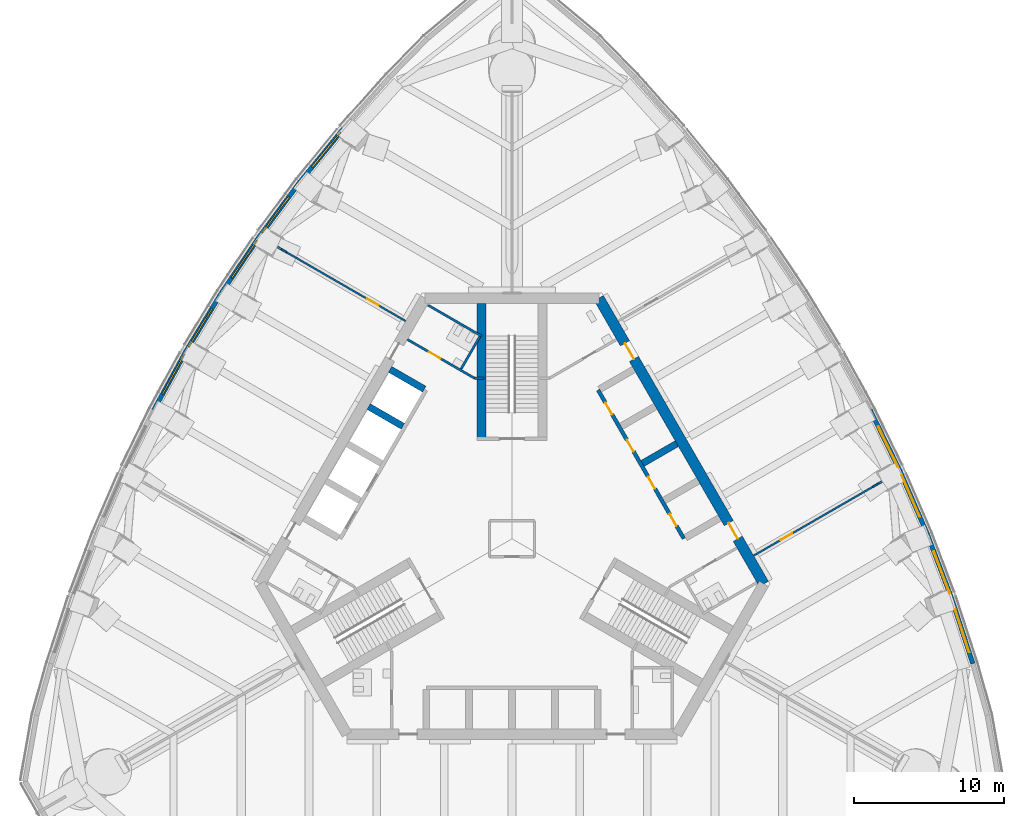
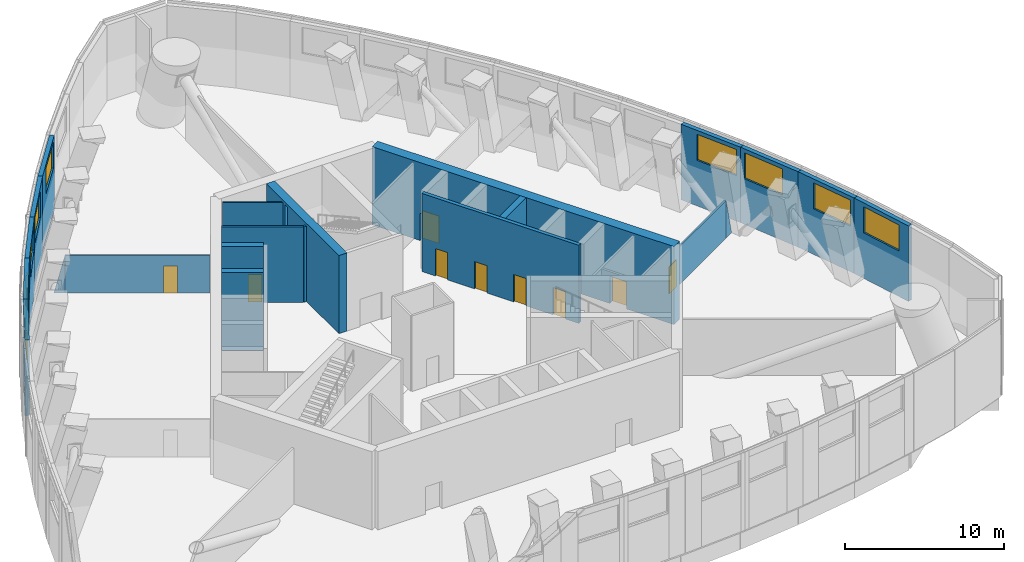
# One storey, part 8 of 22: 23 walls, 9 doors, 9 windows, 18 openings.
"""IFC4 building model written with IfcOpenShell, lengths in metres."""

from ifc_helpers import new_model, si_unit, direction, frame, frame_2d, origin, place, context, subcontext, project, spatial, polyline, rectangle, outline, extrude, material, layer, layer_set, type_object, element, fill, save


model = new_model("IFC4")

# Units and contexts
model_context = context("Model", 3, precision=1e-05, world=origin(), true_north=direction((0.0, 1.0)))
body_context = subcontext(model_context, "Body", "Model", "MODEL_VIEW")
ifc_project = project(units=[si_unit("LENGTHUNIT", "METRE"), si_unit("AREAUNIT", "SQUARE_METRE"), si_unit("VOLUMEUNIT", "CUBIC_METRE"), si_unit("PLANEANGLEUNIT", "RADIAN"), si_unit("MASSUNIT", "GRAM", prefix="KILO")], contexts=[model_context])

# Site, building, storey
site_placement = place(None, origin())
site = spatial("IfcSite", under=ifc_project, at=site_placement, CompositionType="ELEMENT")
building_placement = place(site_placement, origin())
building = spatial("IfcBuilding", under=site, at=building_placement, Name="Trefoil Bronze Tower", CompositionType="ELEMENT")
storey_placement = place(building_placement, frame((0.0, 0.0, 265.300048828125)))
storey = spatial("IfcBuildingStorey", under=building, at=storey_placement, Name="L61", CompositionType="ELEMENT", Elevation=265.300048828125)

# Wall, opening, window
ifc_material_1 = material(Name="Concrete B80", Category="concrete")
ifc_layer_1 = layer(ifc_material_1, 0.300048828125)
ifc_layer_set_1 = layer_set([ifc_layer_1], Name="Belt wall 300")
wall_type_1 = type_object("IfcWallType", Name="Belt wall 300", PredefinedType="SOLIDWALL", material=ifc_layer_set_1)
wall_1_placement = place(storey_placement, frame((30.63330078125, -8.294677734375, 0.0), z_axis=(0.0, 0.0, 1.0), x_axis=(-0.310154105003, 0.950686294815, 0.0)))
wall_1 = element("IfcWall", 1, at=wall_1_placement, inside=storey, type_object=wall_type_1, Name="Belt wall T3.17", PredefinedType="SOLIDWALL", context=body_context, shape_type="SweptSolid", body=[
    extrude(rectangle(XDim=4.599365234375, YDim=0.300048828125, at=frame_2d((2.2998046875, 0.0))), origin(), (0.0, 0.0, 1.0), 5.800048828125),
])
opening_1_placement = place(wall_1_placement, frame((0.7998046875, 0.0, 3.5)))
opening_1 = element("IfcOpeningElement", 2, at=opening_1_placement, cuts=wall_1, Name="Opening LV1", PredefinedType="OPENING", context=body_context, shape_type="SweptSolid", body=[
    extrude(rectangle(XDim=3.0, YDim=2.0, at=frame_2d((1.5, 1.0))), frame((0.0, 0.159912109375, 0.0), z_axis=(0.0, -1.0, 0.0), x_axis=(1.0, 0.0, 0.0)), (0.0, 0.0, 1.0), 0.320068359375),
])
ifc_material_2 = material(Name="Bronze-finish aluminium louvre", Category="aluminium")
window_type = type_object("IfcWindowType", Name="Plant louvre 3000", PartitioningType="SINGLE_PANEL", PredefinedType="USERDEFINED", material=ifc_material_2)
window_1_placement = place(opening_1_placement, origin())
window_1 = element("IfcWindow", 3, at=window_1_placement, inside=storey, type_object=window_type, Name="Plant louvre L61 F2.2.1", ObjectType="LOUVRE", OverallHeight=2.0, OverallWidth=3.0, PartitioningType="SINGLE_PANEL", PredefinedType="USERDEFINED", context=body_context, shape_type="SweptSolid", body=[
    extrude(rectangle(XDim=3.0, YDim=2.0, at=frame_2d((1.5, 1.0))), frame((0.0, 0.030029296875, 0.0), z_axis=(0.0, -1.0, 0.0), x_axis=(1.0, 0.0, 0.0)), (0.0, 0.0, 1.0), 0.06005859375),
])
fill(opening_1, window_1)

wall_2_placement = place(storey_placement, frame((29.206787109375, -3.922119140625, 0.0), z_axis=(0.0, 0.0, 1.0), x_axis=(-0.354202230189, 0.935168851133, 0.0)))
wall_2 = element("IfcWall", 4, at=wall_2_placement, inside=storey, type_object=wall_type_1, Name="Belt wall T3.18", PredefinedType="SOLIDWALL", context=body_context, shape_type="SweptSolid", body=[
    extrude(rectangle(XDim=4.5595703125, YDim=0.300048828125, at=frame_2d((2.27978515625, 0.0))), origin(), (0.0, 0.0, 1.0), 5.800048828125),
])
opening_2_placement = place(wall_2_placement, frame((0.300048828125, 0.0, 3.5)))
opening_2 = element("IfcOpeningElement", 5, at=opening_2_placement, cuts=wall_2, Name="Opening LV1", PredefinedType="OPENING", context=body_context, shape_type="SweptSolid", body=[
    extrude(rectangle(XDim=3.0, YDim=2.0, at=frame_2d((1.5, 1.0))), frame((0.0, 0.159912109375, 0.0), z_axis=(0.0, -1.0, 0.0), x_axis=(1.0, 0.0, 0.0)), (0.0, 0.0, 1.0), 0.320068359375),
])
window_2_placement = place(opening_2_placement, origin())
window_2 = element("IfcWindow", 6, at=window_2_placement, inside=storey, type_object=window_type, Name="Plant louvre L61 F2.3.1", ObjectType="LOUVRE", OverallHeight=2.0, OverallWidth=3.0, PartitioningType="SINGLE_PANEL", PredefinedType="USERDEFINED", context=body_context, shape_type="SweptSolid", body=[
    extrude(rectangle(XDim=3.0, YDim=2.0, at=frame_2d((1.5, 1.0))), frame((0.0, 0.030029296875, 0.0), z_axis=(0.0, -1.0, 0.0), x_axis=(1.0, 0.0, 0.0)), (0.0, 0.0, 1.0), 0.06005859375),
])
fill(opening_2, window_2)

wall_3_placement = place(storey_placement, frame((27.591796875, 0.341796875, 0.0), z_axis=(0.0, 0.0, 1.0), x_axis=(-0.397208101111, 0.917728567939, 0.0)))
wall_3 = element("IfcWall", 7, at=wall_3_placement, inside=storey, type_object=wall_type_1, Name="Belt wall T3.19", PredefinedType="SOLIDWALL", context=body_context, shape_type="SweptSolid", body=[
    extrude(rectangle(XDim=4.530029296875, YDim=0.300048828125, at=frame_2d((2.26513671875, 0.0))), origin(), (0.0, 0.0, 1.0), 5.800048828125),
])
opening_3_placement = place(wall_3_placement, frame((1.22998046875, 0.0, 3.5)))
opening_3 = element("IfcOpeningElement", 8, at=opening_3_placement, cuts=wall_3, Name="Opening LV1", PredefinedType="OPENING", context=body_context, shape_type="SweptSolid", body=[
    extrude(rectangle(XDim=3.0, YDim=2.0, at=frame_2d((1.5, 1.0))), frame((0.0, 0.159912109375, 0.0), z_axis=(0.0, -1.0, 0.0), x_axis=(1.0, 0.0, 0.0)), (0.0, 0.0, 1.0), 0.320068359375),
])
window_3_placement = place(opening_3_placement, origin())
window_3 = element("IfcWindow", 9, at=window_3_placement, inside=storey, type_object=window_type, Name="Plant louvre L61 F2.4.1", ObjectType="LOUVRE", OverallHeight=2.0, OverallWidth=3.0, PartitioningType="SINGLE_PANEL", PredefinedType="USERDEFINED", context=body_context, shape_type="SweptSolid", body=[
    extrude(rectangle(XDim=3.0, YDim=2.0, at=frame_2d((1.5, 1.0))), frame((0.0, 0.030029296875, 0.0), z_axis=(0.0, -1.0, 0.0), x_axis=(1.0, 0.0, 0.0)), (0.0, 0.0, 1.0), 0.06005859375),
])
fill(opening_3, window_3)

wall_4_placement = place(storey_placement, frame((25.79248046875, 4.4990234375, 0.0), z_axis=(0.0, 0.0, 1.0), x_axis=(-0.439163535873, 0.898407139753, 0.0)))
wall_4 = element("IfcWall", 10, at=wall_4_placement, inside=storey, type_object=wall_type_1, Name="Belt wall T3.20", PredefinedType="SOLIDWALL", context=body_context, shape_type="SweptSolid", body=[
    extrude(rectangle(XDim=4.5107421875, YDim=0.300048828125, at=frame_2d((2.25537109375, 0.0))), origin(), (0.0, 0.0, 1.0), 5.800048828125),
])
opening_4_placement = place(wall_4_placement, frame((0.300048828125, 0.0, 3.5)))
opening_4 = element("IfcOpeningElement", 11, at=opening_4_placement, cuts=wall_4, Name="Opening LV1", PredefinedType="OPENING", context=body_context, shape_type="SweptSolid", body=[
    extrude(rectangle(XDim=3.0, YDim=2.0, at=frame_2d((1.5, 1.0))), frame((0.0, 0.159912109375, 0.0), z_axis=(0.0, -1.0, 0.0), x_axis=(1.0, 0.0, 0.0)), (0.0, 0.0, 1.0), 0.320068359375),
])
window_4_placement = place(opening_4_placement, origin())
window_4 = element("IfcWindow", 12, at=window_4_placement, inside=storey, type_object=window_type, Name="Plant louvre L61 F2.5.1", ObjectType="LOUVRE", OverallHeight=2.0, OverallWidth=3.0, PartitioningType="SINGLE_PANEL", PredefinedType="USERDEFINED", context=body_context, shape_type="SweptSolid", body=[
    extrude(rectangle(XDim=3.0, YDim=2.0, at=frame_2d((1.5, 1.0))), frame((0.0, 0.030029296875, 0.0), z_axis=(0.0, -1.0, 0.0), x_axis=(1.0, 0.0, 0.0)), (0.0, 0.0, 1.0), 0.06005859375),
])
fill(opening_4, window_4)

wall_5_placement = place(storey_placement, frame((-11.206787109375, 27.2548828125, 0.0), z_axis=(0.0, 0.0, 1.0), x_axis=(-0.632765292047, -0.774343647989, 0.0)))
wall_5 = element("IfcWall", 13, at=wall_5_placement, inside=storey, type_object=wall_type_1, Name="Belt wall T3.33", PredefinedType="SOLIDWALL", context=body_context, shape_type="SweptSolid", body=[
    extrude(rectangle(XDim=4.559326171875, YDim=0.300048828125, at=frame_2d((2.27978515625, 0.0))), origin(), (0.0, 0.0, 1.0), 5.800048828125),
])
opening_5_placement = place(wall_5_placement, frame((0.300048828125, 0.0, 3.5)))
opening_5 = element("IfcOpeningElement", 14, at=opening_5_placement, cuts=wall_5, Name="Opening LV1", PredefinedType="OPENING", context=body_context, shape_type="SweptSolid", body=[
    extrude(rectangle(XDim=3.0, YDim=2.0, at=frame_2d((1.5, 1.0))), frame((0.0, 0.159912109375, 0.0), z_axis=(0.0, -1.0, 0.0), x_axis=(1.0, 0.0, 0.0)), (0.0, 0.0, 1.0), 0.320068359375),
])
window_5_placement = place(opening_5_placement, origin())
window_5 = element("IfcWindow", 15, at=window_5_placement, inside=storey, type_object=window_type, Name="Plant louvre L61 F3.3.1", ObjectType="LOUVRE", OverallHeight=2.0, OverallWidth=3.0, PartitioningType="SINGLE_PANEL", PredefinedType="USERDEFINED", context=body_context, shape_type="SweptSolid", body=[
    extrude(rectangle(XDim=3.0, YDim=2.0, at=frame_2d((1.5, 1.0))), frame((0.0, 0.030029296875, 0.0), z_axis=(0.0, -1.0, 0.0), x_axis=(1.0, 0.0, 0.0)), (0.0, 0.0, 1.0), 0.06005859375),
])
fill(opening_5, window_5)

wall_6_placement = place(storey_placement, frame((-14.091796875, 23.724365234375, 0.0), z_axis=(0.0, 0.0, 1.0), x_axis=(-0.596173167565, -0.802855873912, 0.0)))
wall_6 = element("IfcWall", 16, at=wall_6_placement, inside=storey, type_object=wall_type_1, Name="Belt wall T3.34", PredefinedType="SOLIDWALL", context=body_context, shape_type="SweptSolid", body=[
    extrude(rectangle(XDim=4.530029296875, YDim=0.300048828125, at=frame_2d((2.26513671875, 0.0))), origin(), (0.0, 0.0, 1.0), 5.800048828125),
])
opening_6_placement = place(wall_6_placement, frame((1.22998046875, 0.0, 3.5)))
opening_6 = element("IfcOpeningElement", 17, at=opening_6_placement, cuts=wall_6, Name="Opening LV1", PredefinedType="OPENING", context=body_context, shape_type="SweptSolid", body=[
    extrude(rectangle(XDim=3.0, YDim=2.0, at=frame_2d((1.5, 1.0))), frame((0.0, 0.159912109375, 0.0), z_axis=(0.0, -1.0, 0.0), x_axis=(1.0, 0.0, 0.0)), (0.0, 0.0, 1.0), 0.320068359375),
])
window_6_placement = place(opening_6_placement, origin())
window_6 = element("IfcWindow", 18, at=window_6_placement, inside=storey, type_object=window_type, Name="Plant louvre L61 F3.4.1", ObjectType="LOUVRE", OverallHeight=2.0, OverallWidth=3.0, PartitioningType="SINGLE_PANEL", PredefinedType="USERDEFINED", context=body_context, shape_type="SweptSolid", body=[
    extrude(rectangle(XDim=3.0, YDim=2.0, at=frame_2d((1.5, 1.0))), frame((0.0, 0.030029296875, 0.0), z_axis=(0.0, -1.0, 0.0), x_axis=(1.0, 0.0, 0.0)), (0.0, 0.0, 1.0), 0.06005859375),
])
fill(opening_6, window_6)

wall_7_placement = place(storey_placement, frame((-16.79248046875, 20.08740234375, 0.0), z_axis=(0.0, 0.0, 1.0), x_axis=(-0.558466624917, -0.829526991034, 0.0)))
wall_7 = element("IfcWall", 19, at=wall_7_placement, inside=storey, type_object=wall_type_1, Name="Belt wall T3.35", PredefinedType="SOLIDWALL", context=body_context, shape_type="SweptSolid", body=[
    extrude(rectangle(XDim=4.5107421875, YDim=0.300048828125, at=frame_2d((2.25537109375, 0.0))), origin(), (0.0, 0.0, 1.0), 5.800048828125),
])
opening_7_placement = place(wall_7_placement, frame((0.300048828125, 0.0, 3.5)))
opening_7 = element("IfcOpeningElement", 20, at=opening_7_placement, cuts=wall_7, Name="Opening LV1", PredefinedType="OPENING", context=body_context, shape_type="SweptSolid", body=[
    extrude(rectangle(XDim=3.0, YDim=2.0, at=frame_2d((1.5, 1.0))), frame((0.0, 0.159912109375, 0.0), z_axis=(0.0, -1.0, 0.0), x_axis=(1.0, 0.0, 0.0)), (0.0, 0.0, 1.0), 0.320068359375),
])
window_7_placement = place(opening_7_placement, origin())
window_7 = element("IfcWindow", 21, at=window_7_placement, inside=storey, type_object=window_type, Name="Plant louvre L61 F3.5.1", ObjectType="LOUVRE", OverallHeight=2.0, OverallWidth=3.0, PartitioningType="SINGLE_PANEL", PredefinedType="USERDEFINED", context=body_context, shape_type="SweptSolid", body=[
    extrude(rectangle(XDim=3.0, YDim=2.0, at=frame_2d((1.5, 1.0))), frame((0.0, 0.030029296875, 0.0), z_axis=(0.0, -1.0, 0.0), x_axis=(1.0, 0.0, 0.0)), (0.0, 0.0, 1.0), 0.06005859375),
])
fill(opening_7, window_7)

wall_8_placement = place(storey_placement, frame((-19.3115234375, 16.345703125, 0.0), z_axis=(0.0, 0.0, 1.0), x_axis=(-0.519766265397, -0.854308509472, 0.0)))
wall_8 = element("IfcWall", 22, at=wall_8_placement, inside=storey, type_object=wall_type_1, Name="Belt wall T3.36", PredefinedType="SOLIDWALL", context=body_context, shape_type="SweptSolid", body=[
    extrude(rectangle(XDim=4.501220703125, YDim=0.300048828125, at=frame_2d((2.25048828125, 0.0))), origin(), (0.0, 0.0, 1.0), 5.800048828125),
])
opening_8_placement = place(wall_8_placement, frame((1.201171875, 0.0, 3.5)))
opening_8 = element("IfcOpeningElement", 23, at=opening_8_placement, cuts=wall_8, Name="Opening LV1", PredefinedType="OPENING", context=body_context, shape_type="SweptSolid", body=[
    extrude(rectangle(XDim=3.0, YDim=2.0, at=frame_2d((1.5, 1.0))), frame((0.0, 0.159912109375, 0.0), z_axis=(0.0, -1.0, 0.0), x_axis=(1.0, 0.0, 0.0)), (0.0, 0.0, 1.0), 0.320068359375),
])
window_8_placement = place(opening_8_placement, origin())
window_8 = element("IfcWindow", 24, at=window_8_placement, inside=storey, type_object=window_type, Name="Plant louvre L61 F3.6.1", ObjectType="LOUVRE", OverallHeight=2.0, OverallWidth=3.0, PartitioningType="SINGLE_PANEL", PredefinedType="USERDEFINED", context=body_context, shape_type="SweptSolid", body=[
    extrude(rectangle(XDim=3.0, YDim=2.0, at=frame_2d((1.5, 1.0))), frame((0.0, 0.030029296875, 0.0), z_axis=(0.0, -1.0, 0.0), x_axis=(1.0, 0.0, 0.0)), (0.0, 0.0, 1.0), 0.06005859375),
])
fill(opening_8, window_8)

wall_9_placement = place(storey_placement, frame((-21.651123046875, 12.500244140625, 0.0), z_axis=(0.0, 0.0, 1.0), x_axis=(-0.479972822547, -0.877283357654, 0.0)))
wall_9 = element("IfcWall", 25, at=wall_9_placement, inside=storey, type_object=wall_type_1, Name="Belt wall T3.37", PredefinedType="SOLIDWALL", context=body_context, shape_type="SweptSolid", body=[
    extrude(rectangle(XDim=4.5009765625, YDim=0.300048828125, at=frame_2d((2.25048828125, 0.0))), origin(), (0.0, 0.0, 1.0), 5.800048828125),
])
opening_9_placement = place(wall_9_placement, frame((0.300048828125, 0.0, 3.5)))
opening_9 = element("IfcOpeningElement", 26, at=opening_9_placement, cuts=wall_9, Name="Opening LV1", PredefinedType="OPENING", context=body_context, shape_type="SweptSolid", body=[
    extrude(rectangle(XDim=3.0, YDim=2.0, at=frame_2d((1.5, 1.0))), frame((0.0, 0.159912109375, 0.0), z_axis=(0.0, -1.0, 0.0), x_axis=(1.0, 0.0, 0.0)), (0.0, 0.0, 1.0), 0.320068359375),
])
window_9_placement = place(opening_9_placement, origin())
window_9 = element("IfcWindow", 27, at=window_9_placement, inside=storey, type_object=window_type, Name="Plant louvre L61 F3.7.1", ObjectType="LOUVRE", OverallHeight=2.0, OverallWidth=3.0, PartitioningType="SINGLE_PANEL", PredefinedType="USERDEFINED", context=body_context, shape_type="SweptSolid", body=[
    extrude(rectangle(XDim=3.0, YDim=2.0, at=frame_2d((1.5, 1.0))), frame((0.0, 0.030029296875, 0.0), z_axis=(0.0, -1.0, 0.0), x_axis=(1.0, 0.0, 0.0)), (0.0, 0.0, 1.0), 0.06005859375),
])
fill(opening_9, window_9)

# Wall, openings, doors
ifc_material_3 = material(Name="Concrete B80", Category="concrete")
ifc_layer_2 = layer(ifc_material_3, 0.699951171875)
ifc_layer_set_2 = layer_set([ifc_layer_2], Name="Core wall 700")
wall_type_2 = type_object("IfcWallType", Name="Core wall 700", PredefinedType="SHEAR", material=ifc_layer_set_2)
wall_10_placement = place(storey_placement, frame((16.7431640625, -3.0, 0.0), z_axis=(0.0, 0.0, 1.0), x_axis=(-0.500002442456, 0.866023993627, 0.0)))
wall_10 = element("IfcWall", 28, at=wall_10_placement, inside=storey, type_object=wall_type_2, Name="Core long wall 2 L61", PredefinedType="SHEAR", context=body_context, shape_type="SweptSolid", body=[
    extrude(rectangle(XDim=21.939453125, YDim=0.699951171875, at=frame_2d((10.9697265625, 0.0))), origin(), (0.0, 0.0, 1.0), 6.0),
])
opening_10_placement = place(wall_10_placement, frame((17.269775390625, 0.0, 0.0)))
opening_10 = element("IfcOpeningElement", 29, at=opening_10_placement, cuts=wall_10, Name="Opening D2", PredefinedType="OPENING", context=body_context, shape_type="SweptSolid", body=[
    extrude(rectangle(XDim=1.199951171875, YDim=2.10009765625, at=frame_2d((0.60009765625, 1.050048828125))), frame((0.0, 0.35986328125, 0.0), z_axis=(0.0, -1.0, 0.0), x_axis=(1.0, 0.0, 0.0)), (0.0, 0.0, 1.0), 0.719970703125),
])
opening_11_placement = place(wall_10_placement, frame((3.4697265625, 0.0, 0.0)))
opening_11 = element("IfcOpeningElement", 30, at=opening_11_placement, cuts=wall_10, Name="Opening D2", PredefinedType="OPENING", context=body_context, shape_type="SweptSolid", body=[
    extrude(rectangle(XDim=1.199951171875, YDim=2.10009765625, at=frame_2d((0.60009765625, 1.050048828125))), frame((0.0, 0.35986328125, 0.0), z_axis=(0.0, -1.0, 0.0), x_axis=(1.0, 0.0, 0.0)), (0.0, 0.0, 1.0), 0.719970703125),
])
ifc_material_4 = material(Name="Steel door", Category="steel")
door_type_1 = type_object("IfcDoorType", Name="Lobby door 1200", OperationType="SINGLE_SWING_RIGHT", PredefinedType="DOOR", material=ifc_material_4)
door_1_placement = place(opening_10_placement, origin())
door_1 = element("IfcDoor", 31, at=door_1_placement, inside=storey, type_object=door_type_1, Name="Lobby door F2+ L61", OperationType="SINGLE_SWING_RIGHT", OverallHeight=2.10009765625, OverallWidth=1.199951171875, PredefinedType="DOOR", context=body_context, shape_type="SweptSolid", body=[
    extrude(rectangle(XDim=1.199951171875, YDim=2.10009765625, at=frame_2d((0.60009765625, 1.050048828125))), frame((0.0, 0.02490234375, 0.0), z_axis=(0.0, -1.0, 0.0), x_axis=(1.0, 0.0, 0.0)), (0.0, 0.0, 1.0), 0.050048828125),
])
fill(opening_10, door_1)
door_2_placement = place(opening_11_placement, origin())
door_2 = element("IfcDoor", 32, at=door_2_placement, inside=storey, type_object=door_type_1, Name="Lobby door F2- L61", OperationType="SINGLE_SWING_LEFT", OverallHeight=2.10009765625, OverallWidth=1.199951171875, PredefinedType="DOOR", context=body_context, shape_type="SweptSolid", body=[
    extrude(rectangle(XDim=1.199951171875, YDim=2.10009765625, at=frame_2d((0.60009765625, 1.050048828125))), frame((0.0, 0.02490234375, 0.0), z_axis=(0.0, -1.0, 0.0), x_axis=(1.0, 0.0, 0.0)), (0.0, 0.0, 1.0), 0.050048828125),
])
fill(opening_11, door_2)

# Wall
ifc_material_5 = material(Name="Glazed partition", Category="glass")
ifc_layer_3 = layer(ifc_material_5, 0.1201171875)
ifc_layer_set_3 = layer_set([ifc_layer_3], Name="Glazed partition 120")
wall_type_3 = type_object("IfcWallType", Name="Glazed partition 120", PredefinedType="PARTITIONING", material=ifc_layer_set_3)
wall_11_placement = place(storey_placement, frame((23.985595703125, 3.455810546875, 0.0), z_axis=(0.0, 0.0, 1.0), x_axis=(0.866138304741, 0.499804398801, 0.0)))
element("IfcWall", 33, at=wall_11_placement, inside=storey, type_object=wall_type_3, Name="Partition F2 L61", PredefinedType="PARTITIONING", context=body_context, shape_type="SweptSolid", body=[
    extrude(outline(polyline([(0.0, 0.0), (0.687744140625, 0.0), (0.687744140625, 0.050048828125), (0.0, 2.89990234375), (0.0, 0.0)])), frame((0.0, 0.06005859375, 0.0), z_axis=(0.0, -1.0, 0.0), x_axis=(1.0, 0.0, 0.0)), (0.0, 0.0, 1.0), 0.1201171875),
])

# Wall, opening, door
wall_12_placement = place(storey_placement, frame((16.078857421875, -1.109130859375, 0.0), z_axis=(0.0, 0.0, 1.0), x_axis=(0.866026165896, 0.499998679983, 0.0)))
wall_12 = element("IfcWall", 34, at=wall_12_placement, inside=storey, type_object=wall_type_3, Name="Partition F2 L61", PredefinedType="PARTITIONING", context=body_context, shape_type="SweptSolid", body=[
    extrude(rectangle(XDim=9.1298828125, YDim=0.1201171875, at=frame_2d((4.56494140625, 0.0))), origin(), (0.0, 0.0, 1.0), 2.89990234375),
])
opening_12_placement = place(wall_12_placement, frame((2.050048828125, 0.0, 0.0)))
opening_12 = element("IfcOpeningElement", 35, at=opening_12_placement, cuts=wall_12, Name="Opening D8", PredefinedType="OPENING", context=body_context, shape_type="SweptSolid", body=[
    extrude(rectangle(XDim=0.89990234375, YDim=2.10009765625, at=frame_2d((0.449951171875, 1.050048828125))), frame((0.0, 0.070068359375, 0.0), z_axis=(0.0, -1.0, 0.0), x_axis=(1.0, 0.0, 0.0)), (0.0, 0.0, 1.0), 0.14013671875),
])
ifc_material_6 = material(Name="Timber door", Category="wood")
door_type_2 = type_object("IfcDoorType", Name="Office door 900", OperationType="SINGLE_SWING_LEFT", PredefinedType="DOOR", material=ifc_material_6)
door_3_placement = place(opening_12_placement, origin())
door_3 = element("IfcDoor", 36, at=door_3_placement, inside=storey, type_object=door_type_2, Name="Water treatment plant room door F2 L61", OperationType="SINGLE_SWING_LEFT", OverallHeight=2.10009765625, OverallWidth=0.89990234375, PredefinedType="DOOR", context=body_context, shape_type="SweptSolid", body=[
    extrude(rectangle(XDim=0.89990234375, YDim=2.10009765625, at=frame_2d((0.449951171875, 1.050048828125))), frame((0.0, 0.02490234375, 0.0), z_axis=(0.0, -1.0, 0.0), x_axis=(1.0, 0.0, 0.0)), (0.0, 0.0, 1.0), 0.050048828125),
])
fill(opening_12, door_3)

# Wall
wall_13_placement = place(storey_placement, frame((-14.985595703125, 19.044189453125, 0.0), z_axis=(0.0, 0.0, 1.0), x_axis=(-0.865984622623, 0.500070628392, 0.0)))
element("IfcWall", 37, at=wall_13_placement, inside=storey, type_object=wall_type_3, Name="Partition F3 L61", PredefinedType="PARTITIONING", context=body_context, shape_type="SweptSolid", body=[
    extrude(outline(polyline([(0.0, 0.0), (0.68798828125, 0.0), (0.687744140625, 0.050048828125), (0.0, 2.89990234375), (0.0, 0.0)])), frame((0.0, 0.06005859375, 0.0), z_axis=(0.0, -1.0, 0.0), x_axis=(1.0, 0.0, 0.0)), (0.0, 0.0, 1.0), 0.1201171875),
])

# Wall, opening, door
wall_14_placement = place(storey_placement, frame((-7.078857421875, 14.479248046875, 0.0), z_axis=(0.0, 0.0, 1.0), x_axis=(-0.866026165896, 0.499998679983, 0.0)))
wall_14 = element("IfcWall", 38, at=wall_14_placement, inside=storey, type_object=wall_type_3, Name="Partition F3 L61", PredefinedType="PARTITIONING", context=body_context, shape_type="SweptSolid", body=[
    extrude(rectangle(XDim=9.1298828125, YDim=0.1201171875, at=frame_2d((4.56494140625, 0.0))), origin(), (0.0, 0.0, 1.0), 2.89990234375),
])
opening_13_placement = place(wall_14_placement, frame((2.050048828125, 0.0, 0.0)))
opening_13 = element("IfcOpeningElement", 39, at=opening_13_placement, cuts=wall_14, Name="Opening D8", PredefinedType="OPENING", context=body_context, shape_type="SweptSolid", body=[
    extrude(rectangle(XDim=0.89990234375, YDim=2.10009765625, at=frame_2d((0.449951171875, 1.050048828125))), frame((0.0, 0.070068359375, 0.0), z_axis=(0.0, -1.0, 0.0), x_axis=(1.0, 0.0, 0.0)), (0.0, 0.0, 1.0), 0.14013671875),
])
door_4_placement = place(opening_13_placement, origin())
door_4 = element("IfcDoor", 40, at=door_4_placement, inside=storey, type_object=door_type_2, Name="Transformer plant room door F3 L61", OperationType="SINGLE_SWING_LEFT", OverallHeight=2.10009765625, OverallWidth=0.89990234375, PredefinedType="DOOR", context=body_context, shape_type="SweptSolid", body=[
    extrude(rectangle(XDim=0.89990234375, YDim=2.10009765625, at=frame_2d((0.449951171875, 1.050048828125))), frame((0.0, 0.02490234375, 0.0), z_axis=(0.0, -1.0, 0.0), x_axis=(1.0, 0.0, 0.0)), (0.0, 0.0, 1.0), 0.050048828125),
])
fill(opening_13, door_4)

# Walls
ifc_material_7 = material(Name="Concrete B80", Category="concrete")
ifc_layer_4 = layer(ifc_material_7, 0.449951171875)
ifc_layer_set_4 = layer_set([ifc_layer_4], Name="Outrigger shaft wall 450")
wall_type_4 = type_object("IfcWallType", Name="Outrigger shaft wall 450", PredefinedType="SHEAR", material=ifc_layer_set_4)
for number, where, z_axis, x_axis, name in (
    (41, (8.681884765625, 5.012451171875, 0.0), (0.0, 0.0, 1.0), (0.866036909293, 0.499980071345, 0.0), "Lift shaft side wall B2 L61"),
    (42, (-5.831787109375, 9.94873046875, 0.0), (0.0, 0.0, 1.0), (-0.866036909293, 0.499980071345, 0.0), "Lift shaft side wall C0 L61"),
    (43, (-7.2568359375, 7.480712890625, 0.0), (0.0, 0.0, 1.0), (-0.866036909293, 0.499980071345, 0.0), "Lift shaft side wall C1 L61"),
):
    element("IfcWall", number, at=place(storey_placement, frame(where, z_axis=z_axis, x_axis=x_axis)), inside=storey, type_object=wall_type_4, Name=name, PredefinedType="SHEAR", context=body_context, shape_type="SweptSolid", body=[
        extrude(rectangle(XDim=2.625, YDim=0.449951171875, at=frame_2d((1.3125, 0.0))), origin(), (0.0, 0.0, 1.0), 6.0),
    ])

# Wall, opening, door
ifc_material_8 = material(Name="Gypsum board on steel studs", Category="steel")
ifc_layer_5 = layer(ifc_material_8, 0.14990234375)
ifc_layer_set_5 = layer_set([ifc_layer_5], Name="Partition 150")
wall_type_5 = type_object("IfcWallType", Name="Partition 150", PredefinedType="PARTITIONING", material=ifc_layer_set_5)
wall_15_placement = place(storey_placement, frame((-2.4951171875, 10.67822265625, 0.0), z_axis=(0.0, 0.0, 1.0), x_axis=(-0.866037967349, 0.499978238636, 0.0)))
wall_15 = element("IfcWall", 44, at=wall_15_placement, inside=storey, type_object=wall_type_5, Name="Passage wall F3- L61", PredefinedType="PARTITIONING", context=body_context, shape_type="SweptSolid", body=[
    extrude(rectangle(XDim=5.150146484375, YDim=0.14990234375, at=frame_2d((2.5751953125, 0.0))), origin(), (0.0, 0.0, 1.0), 5.800048828125),
])
opening_14_placement = place(wall_15_placement, frame((2.60009765625, 0.0, 0.0)))
opening_14 = element("IfcOpeningElement", 45, at=opening_14_placement, cuts=wall_15, Name="Opening D3", PredefinedType="OPENING", context=body_context, shape_type="SweptSolid", body=[
    extrude(rectangle(XDim=0.89990234375, YDim=2.10009765625, at=frame_2d((0.449951171875, 1.050048828125))), frame((0.0, 0.0849609375, 0.0), z_axis=(0.0, -1.0, 0.0), x_axis=(1.0, 0.0, 0.0)), (0.0, 0.0, 1.0), 0.169921875),
])
ifc_material_9 = material(Name="Timber door", Category="wood")
door_type_3 = type_object("IfcDoorType", Name="WC door 900", OperationType="SINGLE_SWING_LEFT", PredefinedType="DOOR", material=ifc_material_9)
door_5_placement = place(opening_14_placement, frame((0.89990234375, 0.0, 0.0), z_axis=(0.0, 0.0, 1.0), x_axis=(-1.0, 0.0, 0.0)))
door_5 = element("IfcDoor", 46, at=door_5_placement, inside=storey, type_object=door_type_3, Name="WC (women) door L61", OperationType="SINGLE_SWING_RIGHT", OverallHeight=2.10009765625, OverallWidth=0.89990234375, PredefinedType="DOOR", context=body_context, shape_type="SweptSolid", body=[
    extrude(rectangle(XDim=0.89990234375, YDim=2.10009765625, at=frame_2d((0.449951171875, 1.050048828125))), frame((0.0, 0.02490234375, 0.0), z_axis=(0.0, -1.0, 0.0), x_axis=(1.0, 0.0, 0.0)), (0.0, 0.0, 1.0), 0.050048828125),
])
fill(opening_14, door_5)

# Walls
wall_16_placement = place(storey_placement, frame((-2.4951171875, 10.67822265625, 0.0), z_axis=(0.0, 0.0, 1.0), x_axis=(1.0, 0.0, 0.0)))
element("IfcWall", 47, at=wall_16_placement, inside=storey, type_object=wall_type_5, Name="WC wall ST2+1 L61", PredefinedType="PARTITIONING", context=body_context, shape_type="SweptSolid", body=[
    extrude(rectangle(XDim=0.64501953125, YDim=0.14990234375, at=frame_2d((0.322509765625, 0.0))), origin(), (0.0, 0.0, 1.0), 5.800048828125),
])
wall_17_placement = place(storey_placement, frame((-2.03125, 13.48193359375, 0.0), z_axis=(0.0, 0.0, 1.0), x_axis=(-0.866050731258, 0.499956128963, 0.0)))
element("IfcWall", 48, at=wall_17_placement, inside=storey, type_object=wall_type_5, Name="WC partition WC (women) L61", PredefinedType="PARTITIONING", context=body_context, shape_type="SweptSolid", body=[
    extrude(rectangle(XDim=4.099853515625, YDim=0.14990234375, at=frame_2d((2.0498046875, 0.0))), origin(), (0.0, 0.0, 1.0), 5.800048828125),
])
wall_18_placement = place(storey_placement, frame((-3.388671875, 11.28076171875, 0.0), z_axis=(0.0, 0.0, 1.0), x_axis=(0.499989096993, 0.866031698547, 0.0)))
element("IfcWall", 49, at=wall_18_placement, inside=storey, type_object=wall_type_5, Name="WC partition WC (women) L61", PredefinedType="PARTITIONING", context=body_context, shape_type="SweptSolid", body=[
    extrude(rectangle(XDim=2.509765625, YDim=0.14990234375, at=frame_2d((1.2548828125, 0.0))), origin(), (0.0, 0.0, 1.0), 5.800048828125),
])

# Wall, openings, doors
ifc_material_10 = material(Name="Concrete B80", Category="concrete")
ifc_layer_6 = layer(ifc_material_10, 0.25)
ifc_layer_set_6 = layer_set([ifc_layer_6], Name="Shaft wall 250")
wall_type_6 = type_object("IfcWallType", Name="Shaft wall 250", PredefinedType="SHEAR", material=ifc_layer_set_6)
wall_19_placement = place(storey_placement, frame((11.423583984375, 0.013671875, 0.0), z_axis=(0.0, 0.0, 1.0), x_axis=(-0.500001763848, 0.866024385424, 0.0)))
wall_19 = element("IfcWall", 50, at=wall_19_placement, inside=storey, type_object=wall_type_6, Name="Lift shaft front wall B L61", PredefinedType="SHEAR", context=body_context, shape_type="SweptSolid", body=[
    extrude(rectangle(XDim=11.39990234375, YDim=0.25, at=frame_2d((5.699951171875, 0.0))), origin(), (0.0, 0.0, 1.0), 6.0),
])
opening_15_placement = place(wall_19_placement, frame((0.97509765625, 0.0, 0.0)))
opening_15 = element("IfcOpeningElement", 51, at=opening_15_placement, cuts=wall_19, Name="Opening D12", PredefinedType="OPENING", context=body_context, shape_type="SweptSolid", body=[
    extrude(rectangle(XDim=0.89990234375, YDim=2.10009765625, at=frame_2d((0.449951171875, 1.050048828125))), frame((0.0, 0.135009765625, 0.0), z_axis=(0.0, -1.0, 0.0), x_axis=(1.0, 0.0, 0.0)), (0.0, 0.0, 1.0), 0.27001953125),
])
opening_16_placement = place(wall_19_placement, frame((3.824951171875, 0.0, 0.0)))
opening_16 = element("IfcOpeningElement", 52, at=opening_16_placement, cuts=wall_19, Name="Opening D12", PredefinedType="OPENING", context=body_context, shape_type="SweptSolid", body=[
    extrude(rectangle(XDim=0.89990234375, YDim=2.10009765625, at=frame_2d((0.449951171875, 1.050048828125))), frame((0.0, 0.135009765625, 0.0), z_axis=(0.0, -1.0, 0.0), x_axis=(1.0, 0.0, 0.0)), (0.0, 0.0, 1.0), 0.27001953125),
])
opening_17_placement = place(wall_19_placement, frame((6.675048828125, 0.0, 0.0)))
opening_17 = element("IfcOpeningElement", 53, at=opening_17_placement, cuts=wall_19, Name="Opening D12", PredefinedType="OPENING", context=body_context, shape_type="SweptSolid", body=[
    extrude(rectangle(XDim=0.89990234375, YDim=2.10009765625, at=frame_2d((0.449951171875, 1.050048828125))), frame((0.0, 0.135009765625, 0.0), z_axis=(0.0, -1.0, 0.0), x_axis=(1.0, 0.0, 0.0)), (0.0, 0.0, 1.0), 0.27001953125),
])
opening_18_placement = place(wall_19_placement, frame((9.52490234375, 0.0, 0.0)))
opening_18 = element("IfcOpeningElement", 54, at=opening_18_placement, cuts=wall_19, Name="Opening D12", PredefinedType="OPENING", context=body_context, shape_type="SweptSolid", body=[
    extrude(rectangle(XDim=0.89990234375, YDim=2.10009765625, at=frame_2d((0.449951171875, 1.050048828125))), frame((0.0, 0.135009765625, 0.0), z_axis=(0.0, -1.0, 0.0), x_axis=(1.0, 0.0, 0.0)), (0.0, 0.0, 1.0), 0.27001953125),
])
ifc_material_11 = material(Name="Steel door", Category="steel")
door_type_4 = type_object("IfcDoorType", Name="Shaft room door 900", OperationType="SINGLE_SWING_LEFT", PredefinedType="DOOR", material=ifc_material_11)
door_6_placement = place(opening_15_placement, frame((0.89990234375, 0.0, 0.0), z_axis=(0.0, 0.0, 1.0), x_axis=(-1.0, 0.0, 0.0)))
door_6 = element("IfcDoor", 55, at=door_6_placement, inside=storey, type_object=door_type_4, Name="Shaft room door B1 L61", OperationType="SINGLE_SWING_LEFT", OverallHeight=2.10009765625, OverallWidth=0.89990234375, PredefinedType="DOOR", context=body_context, shape_type="SweptSolid", body=[
    extrude(rectangle(XDim=0.89990234375, YDim=2.10009765625, at=frame_2d((0.449951171875, 1.050048828125))), frame((0.0, 0.02490234375, 0.0), z_axis=(0.0, -1.0, 0.0), x_axis=(1.0, 0.0, 0.0)), (0.0, 0.0, 1.0), 0.050048828125),
])
fill(opening_15, door_6)
door_7_placement = place(opening_16_placement, frame((0.89990234375, 0.0, 0.0), z_axis=(0.0, 0.0, 1.0), x_axis=(-1.0, 0.0, 0.0)))
door_7 = element("IfcDoor", 56, at=door_7_placement, inside=storey, type_object=door_type_4, Name="Shaft room door B2 L61", OperationType="SINGLE_SWING_RIGHT", OverallHeight=2.10009765625, OverallWidth=0.89990234375, PredefinedType="DOOR", context=body_context, shape_type="SweptSolid", body=[
    extrude(rectangle(XDim=0.89990234375, YDim=2.10009765625, at=frame_2d((0.449951171875, 1.050048828125))), frame((0.0, 0.02490234375, 0.0), z_axis=(0.0, -1.0, 0.0), x_axis=(1.0, 0.0, 0.0)), (0.0, 0.0, 1.0), 0.050048828125),
])
fill(opening_16, door_7)
door_8_placement = place(opening_17_placement, frame((0.89990234375, 0.0, 0.0), z_axis=(0.0, 0.0, 1.0), x_axis=(-1.0, 0.0, 0.0)))
door_8 = element("IfcDoor", 57, at=door_8_placement, inside=storey, type_object=door_type_4, Name="Shaft room door B3 L61", OperationType="SINGLE_SWING_RIGHT", OverallHeight=2.10009765625, OverallWidth=0.89990234375, PredefinedType="DOOR", context=body_context, shape_type="SweptSolid", body=[
    extrude(rectangle(XDim=0.89990234375, YDim=2.10009765625, at=frame_2d((0.449951171875, 1.050048828125))), frame((0.0, 0.02490234375, 0.0), z_axis=(0.0, -1.0, 0.0), x_axis=(1.0, 0.0, 0.0)), (0.0, 0.0, 1.0), 0.050048828125),
])
fill(opening_17, door_8)
door_9_placement = place(opening_18_placement, frame((0.89990234375, 0.0, 0.0), z_axis=(0.0, 0.0, 1.0), x_axis=(-1.0, 0.0, 0.0)))
door_9 = element("IfcDoor", 58, at=door_9_placement, inside=storey, type_object=door_type_4, Name="Shaft room door B4 L61", OperationType="SINGLE_SWING_RIGHT", OverallHeight=2.10009765625, OverallWidth=0.89990234375, PredefinedType="DOOR", context=body_context, shape_type="SweptSolid", body=[
    extrude(rectangle(XDim=0.89990234375, YDim=2.10009765625, at=frame_2d((0.449951171875, 1.050048828125))), frame((0.0, 0.02490234375, 0.0), z_axis=(0.0, -1.0, 0.0), x_axis=(1.0, 0.0, 0.0)), (0.0, 0.0, 1.0), 0.050048828125),
])
fill(opening_18, door_9)

# Wall
ifc_material_12 = material(Name="Concrete B80", Category="concrete")
ifc_layer_7 = layer(ifc_material_12, 0.60009765625)
ifc_layer_set_7 = layer_set([ifc_layer_7], Name="Stair wall 600")
wall_type_7 = type_object("IfcWallType", Name="Stair wall 600", PredefinedType="SHEAR", material=ifc_layer_set_7)
wall_20_placement = place(storey_placement, frame((-2.02490234375, 6.52490234375, 0.0), z_axis=(0.0, 0.0, 1.0), x_axis=(0.0, 1.0, 0.0)))
element("IfcWall", 59, at=wall_20_placement, inside=storey, type_object=wall_type_7, Name="Stair wall ST2 L61", PredefinedType="SHEAR", context=body_context, shape_type="SweptSolid", body=[
    extrude(rectangle(XDim=9.125, YDim=0.60009765625, at=frame_2d((4.5625, 0.0))), origin(), (0.0, 0.0, 1.0), 6.0),
])

save(model, "model.ifc")
